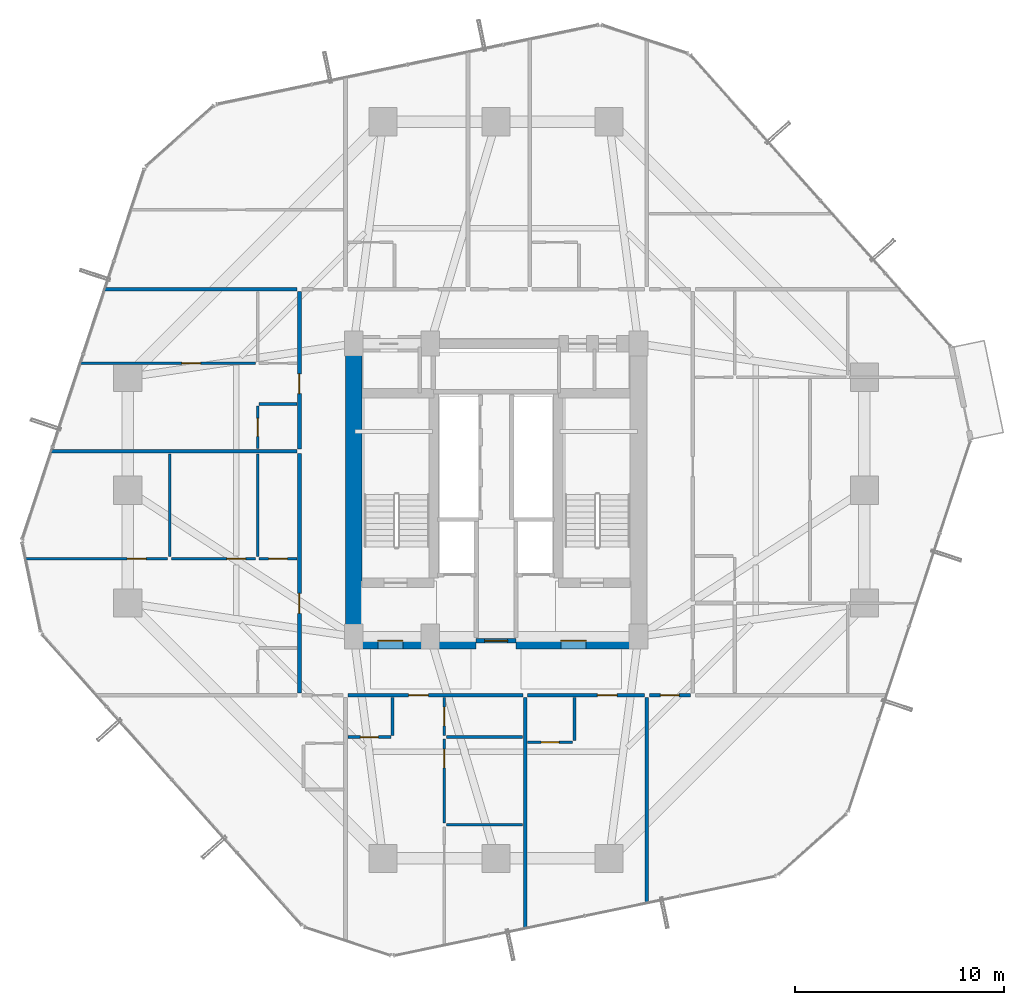
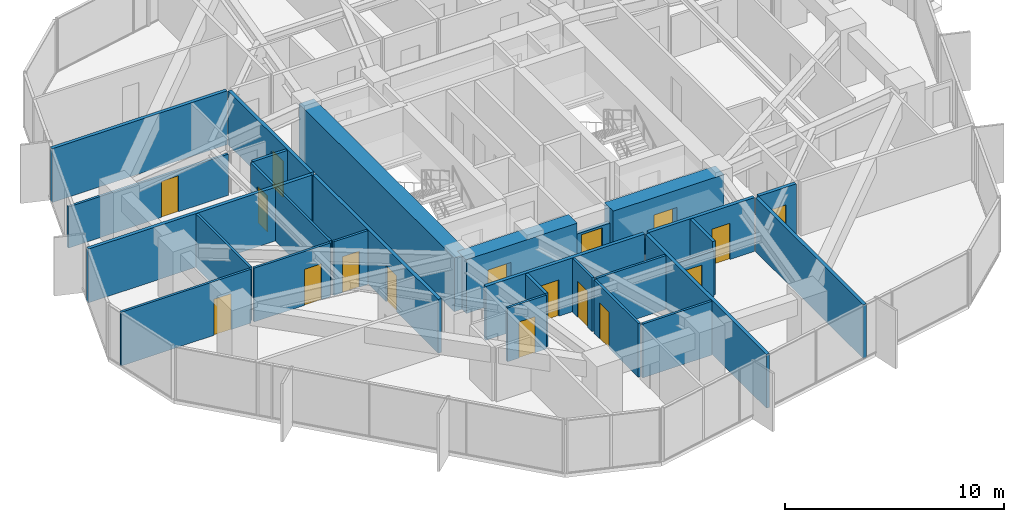
# One storey, part 33 of 38: 29 walls, 17 doors, 17 openings.
"""IFC4 building model written with IfcOpenShell, lengths in metres."""

import ifcopenshell
import ifcopenshell.guid

model = None  # the IFC model being written
_history = None  # IfcOwnerHistory: only IFC2X3 demands one
_inside = {}  # id of a spatial element -> (the spatial element, [elements in it])
_under = {}  # id of a project, library or spatial element -> (it, [spatial elements below it])
_declared = {}  # id of a project -> (the project, [libraries it declares])
_typed = {}  # id of a type object -> (the type object, [elements of that type])
_made_of = {}  # id of a material, layer set ... -> (it, [elements and type objects made of it])


def new_model(schema):
    """Start an empty IFC model of exactly this schema.

    Asked for "IFC4X3", IfcOpenShell would pick the latest addendum, in which some entities
    have other attributes; the version numbers below select the first issue.
    IFC2X3 requires an IfcOwnerHistory on every rooted entity: one is made here for all.
    """
    global model, _history
    if schema == "IFC4X3":
        model = ifcopenshell.file(schema_version=(4, 3, 0, 0))
    else:
        model = ifcopenshell.file(schema=schema)
    _inside.clear()
    _under.clear()
    _declared.clear()
    _typed.clear()
    _made_of.clear()
    _history = None
    if model.schema == "IFC2X3":
        org = make("IfcOrganization", Name="unknown")
        user = make(
            "IfcPersonAndOrganization",
            ThePerson=make("IfcPerson", FamilyName="unknown"),
            TheOrganization=org,
        )
        app = make(
            "IfcApplication",
            ApplicationDeveloper=org,
            Version="unknown",
            ApplicationFullName="unknown",
            ApplicationIdentifier="unknown",
        )
        _history = make(
            "IfcOwnerHistory",
            OwningUser=user,
            OwningApplication=app,
            ChangeAction="ADDED",
            CreationDate=0,
        )
    return model


def make(cls, **values):
    """One entity of the class cls with the attributes given. An attribute that is None is left unset."""
    return model.create_entity(
        cls, **{name: value for name, value in values.items() if value is not None}
    )


def rooted(cls, **values):
    """An entity with a GlobalId (a new one), such as an element, a storey or a relation."""
    return make(cls, GlobalId=ifcopenshell.guid.new(), OwnerHistory=_history, **values)


def si_unit(unit_type, name, prefix=None):
    """IfcSIUnit, for example si_unit("LENGTHUNIT", "METRE", prefix="MILLI")."""
    return make("IfcSIUnit", UnitType=unit_type, Prefix=prefix, Name=name)


def assignment(units):
    """IfcUnitAssignment: the units of a project."""
    return None if units is None else make("IfcUnitAssignment", Units=units)


def point(xyz):
    """IfcCartesianPoint."""
    return None if xyz is None else make("IfcCartesianPoint", Coordinates=xyz)


def direction(xyz):
    """IfcDirection."""
    return None if xyz is None else make("IfcDirection", DirectionRatios=xyz)


def frame(location, z_axis=None, x_axis=None):
    """IfcAxis2Placement3D, a coordinate frame: its origin and axes. An axis left out is left unset."""
    return make(
        "IfcAxis2Placement3D",
        Location=point(location),
        Axis=direction(z_axis),
        RefDirection=direction(x_axis),
    )


def frame_2d(location, x_axis=None):
    """IfcAxis2Placement2D, a coordinate frame in the plane: its origin and x axis."""
    return make(
        "IfcAxis2Placement2D", Location=point(location), RefDirection=direction(x_axis)
    )


def origin():
    """The frame at (0, 0, 0) with its axes left unset."""
    return frame((0.0, 0.0, 0.0))


def place(relative_to, where):
    """IfcLocalPlacement: puts the frame where relative to a parent placement (None: the world)."""
    return make(
        "IfcLocalPlacement", PlacementRelTo=relative_to, RelativePlacement=where
    )


def context(
    kind, dimensions, precision=None, world=None, true_north=None, identifier=None
):
    """IfcGeometricRepresentationContext, for example the 3D "Model" context."""
    return make(
        "IfcGeometricRepresentationContext",
        ContextIdentifier=identifier,
        ContextType=kind,
        CoordinateSpaceDimension=dimensions,
        Precision=precision,
        WorldCoordinateSystem=world,
        TrueNorth=true_north,
    )


def subcontext(parent, identifier, kind, view, scale=None):
    """IfcGeometricRepresentationSubContext, for example "Body" below "Model"."""
    return make(
        "IfcGeometricRepresentationSubContext",
        ContextIdentifier=identifier,
        ContextType=kind,
        ParentContext=parent,
        TargetScale=scale,
        TargetView=view,
    )


def project(units=None, contexts=None):
    """IfcProject with its units and contexts."""
    return rooted(
        "IfcProject",
        Name="project",
        RepresentationContexts=contexts,
        UnitsInContext=assignment(units),
    )


def spatial(cls, under=None, at=None, **own):
    """A site, building, storey or space (cls), placed at a placement, below another one or the project."""
    s = rooted(cls, ObjectPlacement=at, **own)
    if under is not None:
        _under.setdefault(under.id(), (under, []))[1].append(s)
    return s


def profile(cls, at=None, kind="AREA", **sizes):
    """A parametric profile (cls). Its sizes go by their IFC names, for example OverallWidth=200.0."""
    return make(cls, ProfileType=kind, Position=at, **sizes)


def rectangle(**sizes):
    """IfcRectangleProfileDef."""
    return profile("IfcRectangleProfileDef", **sizes)


def extrude(swept, where, along, depth):
    """IfcExtrudedAreaSolid: the profile swept, set in the frame where, extruded along a direction by depth."""
    return make(
        "IfcExtrudedAreaSolid",
        SweptArea=swept,
        Position=where,
        ExtrudedDirection=direction(along),
        Depth=depth,
    )


def shape(context_of_items, identifier, shape_type, items):
    """IfcShapeRepresentation: the items that make up one representation, for example the "Body"."""
    return make(
        "IfcShapeRepresentation",
        ContextOfItems=context_of_items,
        RepresentationIdentifier=identifier,
        RepresentationType=shape_type,
        Items=items,
    )


def source(mapping_origin, context_of_items, identifier, shape_type, items):
    """IfcRepresentationMap: a shape defined once, which mapped items show again and again."""
    return make(
        "IfcRepresentationMap",
        MappingOrigin=mapping_origin,
        MappedRepresentation=shape(context_of_items, identifier, shape_type, items),
    )


def transform(
    local_origin,
    x_axis=None,
    y_axis=None,
    z_axis=None,
    scale=None,
    scale2=None,
    scale3=None,
    uniform=True,
):
    """IfcCartesianTransformationOperator3D, or its non-uniform kind. x_axis, y_axis, z_axis: its Axis1, 2, 3."""
    if uniform:
        return make(
            "IfcCartesianTransformationOperator3D",
            Axis1=direction(x_axis),
            Axis2=direction(y_axis),
            LocalOrigin=point(local_origin),
            Scale=scale,
            Axis3=direction(z_axis),
        )
    return make(
        "IfcCartesianTransformationOperator3DnonUniform",
        Axis1=direction(x_axis),
        Axis2=direction(y_axis),
        LocalOrigin=point(local_origin),
        Scale=scale,
        Axis3=direction(z_axis),
        Scale2=scale2,
        Scale3=scale3,
    )


def mapped(mapping_source, mapping_target):
    """IfcMappedItem: shows the shape of a source again, moved by a transform."""
    return make(
        "IfcMappedItem", MappingSource=mapping_source, MappingTarget=mapping_target
    )


def material(Name=None, Category=None):
    """IfcMaterial."""
    return make("IfcMaterial", Name=Name, Category=Category)


def layer(
    of_material, thickness, ventilated=None, Name=None, Category=None, Priority=None
):
    """IfcMaterialLayer: one layer of a wall or slab, of a material (None: an air gap)."""
    return make(
        "IfcMaterialLayer",
        Material=of_material,
        LayerThickness=thickness,
        IsVentilated=ventilated,
        Name=Name,
        Category=Category,
        Priority=Priority,
    )


def layer_set(layers, Name=None):
    """IfcMaterialLayerSet."""
    return make("IfcMaterialLayerSet", MaterialLayers=layers, LayerSetName=Name)


def made_of(thing, what):
    """Note that an element or type object is made of a material, layer set ...; save() writes the relation."""
    if what is not None:
        _made_of.setdefault(what.id(), (what, []))[1].append(thing)
    return thing


def type_object(cls, material=None, **own):
    """A type object (cls), such as IfcWallType, which elements share."""
    return made_of(rooted(cls, **own), material)


def element(
    cls,
    number,
    at=None,
    inside=None,
    cuts=None,
    type_object=None,
    material=None,
    context=None,
    identifier="Body",
    shape_type=None,
    held_by="IfcProductDefinitionShape",
    body=None,
    shapes=None,
    **own,
):
    """One element of the class cls, such as IfcWall. Its Tag is "e" and its number.

    at: its placement. inside: the storey or other place that contains it. cuts: it is an
    opening in that element (IfcRelVoidsElement). A single representation is given by context,
    identifier, shape_type and body (its items); several are given by shapes. held_by: the class
    of the entity that holds the representations. save() writes the other relations.
    """
    e = rooted(cls, Tag="e%d" % number, ObjectPlacement=at, **own)
    if body is not None:
        shapes = [shape(context, identifier, shape_type, body)]
    if shapes is not None:
        e.Representation = make(held_by, Representations=shapes)
    if inside is not None:
        _inside.setdefault(inside.id(), (inside, []))[1].append(e)
    if cuts is not None:
        rooted(
            "IfcRelVoidsElement", RelatingBuildingElement=cuts, RelatedOpeningElement=e
        )
    if type_object is not None:
        _typed.setdefault(type_object.id(), (type_object, []))[1].append(e)
    return made_of(e, material)


def fill(opening, filler):
    """IfcRelFillsElement: the door or window that sits in an opening."""
    return rooted(
        "IfcRelFillsElement",
        RelatingOpeningElement=opening,
        RelatedBuildingElement=filler,
    )


def aggregate(whole, parts):
    """IfcRelAggregates: a whole, such as a stair, and the parts it consists of."""
    return rooted("IfcRelAggregates", RelatingObject=whole, RelatedObjects=parts)


def save(model, path):
    """Write the relations noted so far, then the file.

    IfcRelAggregates (storeys below a building ...), IfcRelContainedInSpatialStructure (elements
    in a storey), IfcRelDefinesByType, IfcRelAssociatesMaterial and IfcRelDeclares: one each for
    every whole, place, type object, material and project.
    """
    for whole, parts in _under.values():
        aggregate(whole, parts)
    for where, things in _inside.values():
        rooted(
            "IfcRelContainedInSpatialStructure",
            RelatedElements=things,
            RelatingStructure=where,
        )
    for kind, things in _typed.values():
        rooted("IfcRelDefinesByType", RelatedObjects=things, RelatingType=kind)
    for what, things in _made_of.values():
        rooted("IfcRelAssociatesMaterial", RelatedObjects=things, RelatingMaterial=what)
    for by, libraries in _declared.values():
        rooted("IfcRelDeclares", RelatingContext=by, RelatedDefinitions=libraries)
    model.write(path)


model = new_model("IFC4")

# Units and contexts
model_context = context("Model", 3, precision=1e-05, world=origin(), true_north=direction((0.0, 1.0)))
body_context = subcontext(model_context, "Body", "Model", "MODEL_VIEW")
ifc_project = project(units=[si_unit("LENGTHUNIT", "METRE"), si_unit("AREAUNIT", "SQUARE_METRE"), si_unit("VOLUMEUNIT", "CUBIC_METRE"), si_unit("PLANEANGLEUNIT", "RADIAN"), si_unit("MASSUNIT", "GRAM", prefix="KILO")], contexts=[model_context])

# Site, building, storey
site_placement = place(None, origin())
site = spatial("IfcSite", under=ifc_project, at=site_placement, CompositionType="ELEMENT")
building_placement = place(site_placement, origin())
building = spatial("IfcBuilding", under=site, at=building_placement, Name="Veraguas Prism Commons", CompositionType="ELEMENT")
storey_placement = place(building_placement, frame((0.0, 0.0, 64.10009765625)))
storey = spatial("IfcBuildingStorey", under=building, at=storey_placement, Name="L17", CompositionType="ELEMENT", Elevation=64.10009765625)

# Wall
ifc_material_1 = material(Name="Concrete C60/75", Category="concrete")
ifc_layer_1 = layer(ifc_material_1, 0.800048828125, Name="Core Outer Shear Wall Lower RC 800", Category="concrete")
ifc_layer_set_1 = layer_set([ifc_layer_1], Name="Concrete C60/75")
wall_type_1 = type_object("IfcWallType", Name="Core Outer Shear Wall Lower RC 800", PredefinedType="SHEAR", material=ifc_layer_set_1)
wall_1_placement = place(storey_placement, frame((17.199951171875, 16.800048828125, 0.0), z_axis=(0.0, 0.0, 1.0), x_axis=(0.0, 1.0, 0.0)))
element("IfcWall", 1, at=wall_1_placement, inside=storey, type_object=wall_type_1, Name="Central Core West Shear Wall L17", PredefinedType="SHEAR", context=body_context, shape_type="SweptSolid", body=[
    extrude(rectangle(XDim=14.199951171875, YDim=0.800048828125, at=frame_2d((7.10009765625, 0.0))), origin(), (0.0, 0.0, 1.0), 3.0),
])

# Wall, opening, door
wall_2_placement = place(storey_placement, frame((17.199951171875, 16.800048828125, 0.0), z_axis=(0.0, 0.0, 1.0), x_axis=(1.0, 0.0, 0.0)))
wall_2 = element("IfcWall", 2, at=wall_2_placement, inside=storey, type_object=wall_type_1, Name="Central Core South-West Shear Wall L17", PredefinedType="SHEAR", context=body_context, shape_type="SweptSolid", body=[
    extrude(rectangle(XDim=5.85009765625, YDim=0.800048828125, at=frame_2d((2.925048828125, 0.0))), origin(), (0.0, 0.0, 1.0), 3.0),
])
opening_1_placement = place(wall_2_placement, frame((1.14990234375, 0.0, 0.0)))
opening_1 = element("IfcOpeningElement", 3, at=opening_1_placement, cuts=wall_2, Name="Opening DR-06", PredefinedType="OPENING", context=body_context, shape_type="SweptSolid", body=[
    extrude(rectangle(XDim=1.199951171875, YDim=2.030029296875, at=frame_2d((0.60009765625, 1.01513671875))), frame((0.0, 0.409912109375, 0.0), z_axis=(0.0, -1.0, 0.0), x_axis=(1.0, 0.0, 0.0)), (0.0, 0.0, 1.0), 0.820068359375),
])
ifc_material_2 = material(Name="Steel fire-rated door assembly", Category="steel")
door_type_1 = type_object("IfcDoorType", Name="Firefighting Lobby Smoke Door 1200x2030", OperationType="NOTDEFINED", PredefinedType="DOOR", material=ifc_material_2)
shared_shape_1 = source(origin(), body_context, "Body", "SweptSolid", [
    extrude(rectangle(XDim=1.199951171875, YDim=2.030029296875, at=frame_2d((0.60009765625, 1.01513671875))), frame((0.0, 0.02490234375, 0.0), z_axis=(0.0, -1.0, 0.0), x_axis=(1.0, 0.0, 0.0)), (0.0, 0.0, 1.0), 0.050048828125),
])
door_1_placement = place(opening_1_placement, origin())
door_1 = element("IfcDoor", 4, at=door_1_placement, inside=storey, type_object=door_type_1, Name="West FF Lobby Door L17", OperationType="SINGLE_SWING_LEFT", OverallHeight=2.030029296875, OverallWidth=1.199951171875, PredefinedType="DOOR", context=body_context, shape_type="MappedRepresentation", body=[
    mapped(shared_shape_1, transform((0.0, 0.0, 0.0), scale=1.0)),
])
fill(opening_1, door_1)

wall_3_placement = place(storey_placement, frame((24.949951171875, 16.800048828125, 0.0), z_axis=(0.0, 0.0, 1.0), x_axis=(1.0, 0.0, 0.0)))
wall_3 = element("IfcWall", 5, at=wall_3_placement, inside=storey, type_object=wall_type_1, Name="Central Core South-East Shear Wall L17", PredefinedType="SHEAR", context=body_context, shape_type="SweptSolid", body=[
    extrude(rectangle(XDim=5.85009765625, YDim=0.800048828125, at=frame_2d((2.925048828125, 0.0))), origin(), (0.0, 0.0, 1.0), 3.0),
])
opening_2_placement = place(wall_3_placement, frame((2.14990234375, 0.0, 0.0)))
opening_2 = element("IfcOpeningElement", 6, at=opening_2_placement, cuts=wall_3, Name="Opening DR-06", PredefinedType="OPENING", context=body_context, shape_type="SweptSolid", body=[
    extrude(rectangle(XDim=1.199951171875, YDim=2.030029296875, at=frame_2d((0.60009765625, 1.01513671875))), frame((0.0, 0.409912109375, 0.0), z_axis=(0.0, -1.0, 0.0), x_axis=(1.0, 0.0, 0.0)), (0.0, 0.0, 1.0), 0.820068359375),
])
door_2_placement = place(opening_2_placement, origin())
door_2 = element("IfcDoor", 7, at=door_2_placement, inside=storey, type_object=door_type_1, Name="East FF Lobby Door L17", OperationType="SINGLE_SWING_LEFT", OverallHeight=2.030029296875, OverallWidth=1.199951171875, PredefinedType="DOOR", context=body_context, shape_type="MappedRepresentation", body=[
    mapped(shared_shape_1, transform((0.0, 0.0, 0.0), scale=1.0)),
])
fill(opening_2, door_2)

# Wall
ifc_material_3 = material(Name="Autoclaved aerated masonry block 10 MPa", Category="masonry")
ifc_layer_2 = layer(ifc_material_3, 0.179931640625, Name="Corridor and Inter-Tenancy Partition 180", Category="masonry")
ifc_layer_set_2 = layer_set([ifc_layer_2], Name="Autoclaved aerated masonry block 10 MPa")
wall_type_2 = type_object("IfcWallType", Name="Corridor and Inter-Tenancy Partition 180", PredefinedType="PARTITIONING", material=ifc_layer_set_2)
wall_4_placement = place(storey_placement, frame((31.199951171875, 14.080078125, 0.0), z_axis=(0.0, 0.0, 1.0), x_axis=(0.0, -1.0, 0.0)))
element("IfcWall", 8, at=wall_4_placement, inside=storey, type_object=wall_type_2, Name="WL-L17-PT002", PredefinedType="PARTITIONING", context=body_context, shape_type="SweptSolid", body=[
    extrude(rectangle(XDim=9.842041015625, YDim=0.179931640625, at=frame_2d((4.9208984375, 0.0))), origin(), (0.0, 0.0, 1.0), 3.0),
])

# Wall, opening, door
wall_5_placement = place(storey_placement, frame((16.909912109375, 14.199951171875, 0.0), z_axis=(0.0, 0.0, 1.0), x_axis=(1.0, 0.0, 0.0)))
wall_5 = element("IfcWall", 9, at=wall_5_placement, inside=storey, type_object=wall_type_2, Name="WL-L17-PT003", PredefinedType="PARTITIONING", context=body_context, shape_type="SweptSolid", body=[
    extrude(rectangle(XDim=8.3720703125, YDim=0.179931640625, at=frame_2d((4.18603515625, 0.0))), origin(), (0.0, 0.0, 1.0), 3.0),
])
opening_3_placement = place(wall_5_placement, frame((2.903076171875, 0.0, 0.0)))
opening_3 = element("IfcOpeningElement", 10, at=opening_3_placement, cuts=wall_5, Name="Opening DR-01", PredefinedType="OPENING", context=body_context, shape_type="SweptSolid", body=[
    extrude(rectangle(XDim=0.949951171875, YDim=2.02001953125, at=frame_2d((0.47509765625, 1.010009765625))), frame((0.0, 0.099853515625, 0.0), z_axis=(0.0, -1.0, 0.0), x_axis=(1.0, 0.0, 0.0)), (0.0, 0.0, 1.0), 0.199951171875),
])
ifc_material_4 = material(Name="Anodised aluminium EN AW-6063 T6", Category="aluminium")
door_type_2 = type_object("IfcDoorType", Name="Apartment Entrance Fire Door 950x2020", OperationType="NOTDEFINED", PredefinedType="DOOR", material=ifc_material_4)
shared_shape_2 = source(origin(), body_context, "Body", "SweptSolid", [
    extrude(rectangle(XDim=0.949951171875, YDim=2.02001953125, at=frame_2d((0.47509765625, 1.010009765625))), frame((0.0, 0.02490234375, 0.0), z_axis=(0.0, -1.0, 0.0), x_axis=(1.0, 0.0, 0.0)), (0.0, 0.0, 1.0), 0.050048828125),
])
door_3_placement = place(opening_3_placement, origin())
door_3 = element("IfcDoor", 11, at=door_3_placement, inside=storey, type_object=door_type_2, Name="Flat 17A Entrance Door", OperationType="SINGLE_SWING_LEFT", OverallHeight=2.02001953125, OverallWidth=0.949951171875, PredefinedType="DOOR", context=body_context, shape_type="MappedRepresentation", body=[
    mapped(shared_shape_2, transform((0.0, 0.0, 0.0), scale=1.0)),
])
fill(opening_3, door_3)

# Wall
wall_6_placement = place(storey_placement, frame((25.39208984375, 14.080078125, 0.0), z_axis=(0.0, 0.0, 1.0), x_axis=(0.0, -1.0, 0.0)))
element("IfcWall", 12, at=wall_6_placement, inside=storey, type_object=wall_type_2, Name="WL-L17-PT011", PredefinedType="PARTITIONING", context=body_context, shape_type="SweptSolid", body=[
    extrude(rectangle(XDim=11.05126953125, YDim=0.179931640625, at=frame_2d((5.525634765625, 0.0))), origin(), (0.0, 0.0, 1.0), 3.0),
])

# Wall, opening, door
wall_7_placement = place(storey_placement, frame((25.501953125, 14.199951171875, 0.0), z_axis=(0.0, 0.0, 1.0), x_axis=(1.0, 0.0, 0.0)))
wall_7 = element("IfcWall", 13, at=wall_7_placement, inside=storey, type_object=wall_type_2, Name="WL-L17-PT012", PredefinedType="PARTITIONING", context=body_context, shape_type="SweptSolid", body=[
    extrude(rectangle(XDim=5.588134765625, YDim=0.179931640625, at=frame_2d((2.7939453125, 0.0))), origin(), (0.0, 0.0, 1.0), 3.0),
])
opening_4_placement = place(wall_7_placement, frame((3.336181640625, 0.0, 0.0)))
opening_4 = element("IfcOpeningElement", 14, at=opening_4_placement, cuts=wall_7, Name="Opening DR-01", PredefinedType="OPENING", context=body_context, shape_type="SweptSolid", body=[
    extrude(rectangle(XDim=0.949951171875, YDim=2.02001953125, at=frame_2d((0.47509765625, 1.010009765625))), frame((0.0, 0.099853515625, 0.0), z_axis=(0.0, -1.0, 0.0), x_axis=(1.0, 0.0, 0.0)), (0.0, 0.0, 1.0), 0.199951171875),
])
door_4_placement = place(opening_4_placement, origin())
door_4 = element("IfcDoor", 15, at=door_4_placement, inside=storey, type_object=door_type_2, Name="Studio 17B Entrance Door", OperationType="SINGLE_SWING_RIGHT", OverallHeight=2.02001953125, OverallWidth=0.949951171875, PredefinedType="DOOR", context=body_context, shape_type="MappedRepresentation", body=[
    mapped(shared_shape_2, transform((0.0, 0.0, 0.0), scale=1.0)),
])
fill(opening_4, door_4)

# Wall
wall_8_placement = place(storey_placement, frame((14.47998046875, 33.60009765625, 0.0), z_axis=(0.0, 0.0, 1.0), x_axis=(-1.0, 0.0, 0.0)))
element("IfcWall", 16, at=wall_8_placement, inside=storey, type_object=wall_type_2, Name="WL-L17-PT027", PredefinedType="PARTITIONING", context=body_context, shape_type="SweptSolid", body=[
    extrude(rectangle(XDim=9.232177734375, YDim=0.179931640625, at=frame_2d((4.6162109375, 0.0))), origin(), (0.0, 0.0, 1.0), 3.0),
])

# Wall, opening, door
wall_9_placement = place(storey_placement, frame((14.60009765625, 14.31005859375, 0.0), z_axis=(0.0, 0.0, 1.0), x_axis=(0.0, 1.0, 0.0)))
wall_9 = element("IfcWall", 17, at=wall_9_placement, inside=storey, type_object=wall_type_2, Name="WL-L17-PT028", PredefinedType="PARTITIONING", context=body_context, shape_type="SweptSolid", body=[
    extrude(rectangle(XDim=11.43798828125, YDim=0.179931640625, at=frame_2d((5.718994140625, 0.0))), origin(), (0.0, 0.0, 1.0), 3.0),
])
opening_5_placement = place(wall_9_placement, frame((3.803955078125, 0.0, 0.0)))
opening_5 = element("IfcOpeningElement", 18, at=opening_5_placement, cuts=wall_9, Name="Opening DR-01", PredefinedType="OPENING", context=body_context, shape_type="SweptSolid", body=[
    extrude(rectangle(XDim=0.949951171875, YDim=2.02001953125, at=frame_2d((0.47509765625, 1.010009765625))), frame((0.0, 0.099853515625, 0.0), z_axis=(0.0, -1.0, 0.0), x_axis=(1.0, 0.0, 0.0)), (0.0, 0.0, 1.0), 0.199951171875),
])
door_5_placement = place(opening_5_placement, origin())
door_5 = element("IfcDoor", 19, at=door_5_placement, inside=storey, type_object=door_type_2, Name="Flat 17E Entrance Door", OperationType="SINGLE_SWING_LEFT", OverallHeight=2.02001953125, OverallWidth=0.949951171875, PredefinedType="DOOR", context=body_context, shape_type="MappedRepresentation", body=[
    mapped(shared_shape_2, transform((0.0, 0.0, 0.0), scale=1.0)),
])
fill(opening_5, door_5)

# Wall
wall_10_placement = place(storey_placement, frame((14.47998046875, 25.85791015625, 0.0), z_axis=(0.0, 0.0, 1.0), x_axis=(-1.0, 0.0, 0.0)))
element("IfcWall", 20, at=wall_10_placement, inside=storey, type_object=wall_type_2, Name="WL-L17-PT036", PredefinedType="PARTITIONING", context=body_context, shape_type="SweptSolid", body=[
    extrude(rectangle(XDim=11.783447265625, YDim=0.179931640625, at=frame_2d((5.8916015625, 0.0))), origin(), (0.0, 0.0, 1.0), 3.0),
])

# Wall, opening, door
wall_11_placement = place(storey_placement, frame((14.60009765625, 25.968017578125, 0.0), z_axis=(0.0, 0.0, 1.0), x_axis=(0.0, 1.0, 0.0)))
wall_11 = element("IfcWall", 21, at=wall_11_placement, inside=storey, type_object=wall_type_2, Name="WL-L17-PT037", PredefinedType="PARTITIONING", context=body_context, shape_type="SweptSolid", body=[
    extrude(rectangle(XDim=7.52197265625, YDim=0.179931640625, at=frame_2d((3.760986328125, 0.0))), origin(), (0.0, 0.0, 1.0), 3.0),
])
opening_6_placement = place(wall_11_placement, frame((2.639892578125, 0.0, 0.0)))
opening_6 = element("IfcOpeningElement", 22, at=opening_6_placement, cuts=wall_11, Name="Opening DR-01", PredefinedType="OPENING", context=body_context, shape_type="SweptSolid", body=[
    extrude(rectangle(XDim=0.949951171875, YDim=2.02001953125, at=frame_2d((0.47509765625, 1.010009765625))), frame((0.0, 0.099853515625, 0.0), z_axis=(0.0, -1.0, 0.0), x_axis=(1.0, 0.0, 0.0)), (0.0, 0.0, 1.0), 0.199951171875),
])
door_6_placement = place(opening_6_placement, origin())
door_6 = element("IfcDoor", 23, at=door_6_placement, inside=storey, type_object=door_type_2, Name="Flat 17F Entrance Door", OperationType="SINGLE_SWING_RIGHT", OverallHeight=2.02001953125, OverallWidth=0.949951171875, PredefinedType="DOOR", context=body_context, shape_type="MappedRepresentation", body=[
    mapped(shared_shape_2, transform((0.0, 0.0, 0.0), scale=1.0)),
])
fill(opening_6, door_6)

wall_12_placement = place(storey_placement, frame((31.320068359375, 14.199951171875, 0.0), z_axis=(0.0, 0.0, 1.0), x_axis=(1.0, 0.0, 0.0)))
wall_12 = element("IfcWall", 24, at=wall_12_placement, inside=storey, type_object=wall_type_2, Name="WL-L17-PT064", PredefinedType="PARTITIONING", context=body_context, shape_type="SweptSolid", body=[
    extrude(rectangle(XDim=1.9599609375, YDim=0.179931640625, at=frame_2d((0.97998046875, 0.0))), origin(), (0.0, 0.0, 1.0), 3.0),
])
opening_7_placement = place(wall_12_placement, frame((0.530029296875, 0.0, 0.0)))
opening_7 = element("IfcOpeningElement", 25, at=opening_7_placement, cuts=wall_12, Name="Opening DR-14", PredefinedType="OPENING", context=body_context, shape_type="SweptSolid", body=[
    extrude(rectangle(XDim=0.89990234375, YDim=2.010009765625, at=frame_2d((0.449951171875, 1.0048828125))), frame((0.0, 0.099853515625, 0.0), z_axis=(0.0, -1.0, 0.0), x_axis=(1.0, 0.0, 0.0)), (0.0, 0.0, 1.0), 0.199951171875),
])
door_type_3 = type_object("IfcDoorType", Name="Core Service Room Fire Door 900x2010", OperationType="NOTDEFINED", PredefinedType="DOOR", material=ifc_material_2)
shared_shape_3 = source(origin(), body_context, "Body", "SweptSolid", [
    extrude(rectangle(XDim=0.89990234375, YDim=2.010009765625, at=frame_2d((0.449951171875, 1.0048828125))), frame((0.0, 0.02490234375, 0.0), z_axis=(0.0, -1.0, 0.0), x_axis=(1.0, 0.0, 0.0)), (0.0, 0.0, 1.0), 0.050048828125),
])
door_7_placement = place(opening_7_placement, origin())
door_7 = element("IfcDoor", 26, at=door_7_placement, inside=storey, type_object=door_type_3, Name="Residents Corner Study Room SE Door", OperationType="SINGLE_SWING_LEFT", OverallHeight=2.010009765625, OverallWidth=0.89990234375, PredefinedType="DOOR", context=body_context, shape_type="MappedRepresentation", body=[
    mapped(shared_shape_3, transform((0.0, 0.0, 0.0), scale=1.0)),
])
fill(opening_7, door_7)

ifc_material_5 = material(Name="Lightweight acoustic gypsum board")
ifc_layer_3 = layer(ifc_material_5, 0.125, Name="Internal Apartment Room Partition 125")
ifc_layer_set_3 = layer_set([ifc_layer_3], Name="Lightweight acoustic gypsum board")
wall_type_3 = type_object("IfcWallType", Name="Internal Apartment Room Partition 125", PredefinedType="PARTITIONING", material=ifc_layer_set_3)
wall_13_placement = place(storey_placement, frame((16.919921875, 12.199951171875, 0.0), z_axis=(0.0, 0.0, 1.0), x_axis=(1.0, 0.0, 0.0)))
wall_13 = element("IfcWall", 27, at=wall_13_placement, inside=storey, type_object=wall_type_3, Name="WL-L17-PT005", PredefinedType="PARTITIONING", context=body_context, shape_type="SweptSolid", body=[
    extrude(rectangle(XDim=2.050048828125, YDim=0.125, at=frame_2d((1.02490234375, 0.0))), origin(), (0.0, 0.0, 1.0), 3.0),
])
opening_8_placement = place(wall_13_placement, frame((0.594970703125, 0.0, 0.0)))
opening_8 = element("IfcOpeningElement", 28, at=opening_8_placement, cuts=wall_13, Name="Opening DR-03", PredefinedType="OPENING", context=body_context, shape_type="SweptSolid", body=[
    extrude(rectangle(XDim=0.860107421875, YDim=2.010009765625, at=frame_2d((0.43017578125, 1.0048828125))), frame((0.0, 0.072509765625, 0.0), z_axis=(0.0, -1.0, 0.0), x_axis=(1.0, 0.0, 0.0)), (0.0, 0.0, 1.0), 0.14501953125),
])
ifc_material_6 = material(Name="Timber moisture-resistant leaf", Category="wood")
door_type_4 = type_object("IfcDoorType", Name="Internal Bathroom Door 860x2010", OperationType="NOTDEFINED", PredefinedType="DOOR", material=ifc_material_6)
shared_shape_4 = source(origin(), body_context, "Body", "SweptSolid", [
    extrude(rectangle(XDim=0.860107421875, YDim=2.010009765625, at=frame_2d((0.43017578125, 1.0048828125))), frame((0.0, 0.02490234375, 0.0), z_axis=(0.0, -1.0, 0.0), x_axis=(1.0, 0.0, 0.0)), (0.0, 0.0, 1.0), 0.050048828125),
])
door_8_placement = place(opening_8_placement, origin())
door_8 = element("IfcDoor", 29, at=door_8_placement, inside=storey, type_object=door_type_4, Name="Flat 17A Bathroom Door", OperationType="SINGLE_SWING_RIGHT", OverallHeight=2.010009765625, OverallWidth=0.860107421875, PredefinedType="DOOR", context=body_context, shape_type="MappedRepresentation", body=[
    mapped(shared_shape_4, transform((0.0, 0.0, 0.0), scale=1.0)),
])
fill(opening_8, door_8)

wall_14_placement = place(storey_placement, frame((21.52587890625, 14.080078125, 0.0), z_axis=(0.0, 0.0, 1.0), x_axis=(0.0, -1.0, 0.0)))
wall_14 = element("IfcWall", 30, at=wall_14_placement, inside=storey, type_object=wall_type_3, Name="WL-L17-PT006", PredefinedType="PARTITIONING", context=body_context, shape_type="SweptSolid", body=[
    extrude(rectangle(XDim=1.800048828125, YDim=0.125, at=frame_2d((0.89990234375, 0.0))), origin(), (0.0, 0.0, 1.0), 3.0),
])
opening_9_placement = place(wall_14_placement, frame((0.449951171875, 0.0, 0.0)))
opening_9 = element("IfcOpeningElement", 31, at=opening_9_placement, cuts=wall_14, Name="Opening DR-02", PredefinedType="OPENING", context=body_context, shape_type="SweptSolid", body=[
    extrude(rectangle(XDim=0.89990234375, YDim=2.010009765625, at=frame_2d((0.449951171875, 1.0048828125))), frame((0.0, 0.072509765625, 0.0), z_axis=(0.0, -1.0, 0.0), x_axis=(1.0, 0.0, 0.0)), (0.0, 0.0, 1.0), 0.14501953125),
])
ifc_material_7 = material(Name="Timber solid core hardwood", Category="wood")
door_type_5 = type_object("IfcDoorType", Name="Internal Habitable Room Door 900x2010", OperationType="NOTDEFINED", PredefinedType="DOOR", material=ifc_material_7)
door_9_placement = place(opening_9_placement, origin())
door_9 = element("IfcDoor", 32, at=door_9_placement, inside=storey, type_object=door_type_5, Name="Flat 17A Kitchen Door", OperationType="SINGLE_SWING_LEFT", OverallHeight=2.010009765625, OverallWidth=0.89990234375, PredefinedType="DOOR", context=body_context, shape_type="MappedRepresentation", body=[
    mapped(shared_shape_3, transform((0.0, 0.0, 0.0), scale=1.0)),
])
fill(opening_9, door_9)

# Walls
for number, where, z_axis, x_axis, name in (
    (33, (21.6259765625, 12.199951171875, 0.0), (0.0, 0.0, 1.0), (1.0, 0.0, 0.0), "WL-L17-PT007"),
    (34, (21.6259765625, 8.0, 0.0), (0.0, 0.0, 1.0), (1.0, 0.0, 0.0), "WL-L17-PT008"),
):
    element("IfcWall", number, at=place(storey_placement, frame(where, z_axis=z_axis, x_axis=x_axis)), inside=storey, type_object=wall_type_3, Name=name, PredefinedType="PARTITIONING", context=body_context, shape_type="SweptSolid", body=[
        extrude(rectangle(XDim=3.64599609375, YDim=0.125, at=frame_2d((1.822998046875, 0.0))), origin(), (0.0, 0.0, 1.0), 3.0),
    ])

# Wall, opening, door
wall_15_placement = place(storey_placement, frame((21.52587890625, 12.10009765625, 0.0), z_axis=(0.0, 0.0, 1.0), x_axis=(0.0, -1.0, 0.0)))
wall_15 = element("IfcWall", 35, at=wall_15_placement, inside=storey, type_object=wall_type_3, Name="WL-L17-PT009", PredefinedType="PARTITIONING", context=body_context, shape_type="SweptSolid", body=[
    extrude(rectangle(XDim=4.02001953125, YDim=0.125, at=frame_2d((2.010009765625, 0.0))), origin(), (0.0, 0.0, 1.0), 3.0),
])
opening_10_placement = place(wall_15_placement, frame((0.471923828125, 0.0, 0.0)))
opening_10 = element("IfcOpeningElement", 36, at=opening_10_placement, cuts=wall_15, Name="Opening DR-02", PredefinedType="OPENING", context=body_context, shape_type="SweptSolid", body=[
    extrude(rectangle(XDim=0.89990234375, YDim=2.010009765625, at=frame_2d((0.449951171875, 1.0048828125))), frame((0.0, 0.072509765625, 0.0), z_axis=(0.0, -1.0, 0.0), x_axis=(1.0, 0.0, 0.0)), (0.0, 0.0, 1.0), 0.14501953125),
])
door_10_placement = place(opening_10_placement, origin())
door_10 = element("IfcDoor", 37, at=door_10_placement, inside=storey, type_object=door_type_5, Name="Flat 17A Bedroom 1 Door", OperationType="SINGLE_SWING_RIGHT", OverallHeight=2.010009765625, OverallWidth=0.89990234375, PredefinedType="DOOR", context=body_context, shape_type="MappedRepresentation", body=[
    mapped(shared_shape_3, transform((0.0, 0.0, 0.0), scale=1.0)),
])
fill(opening_10, door_10)

wall_16_placement = place(storey_placement, frame((25.511962890625, 11.949951171875, 0.0), z_axis=(0.0, 0.0, 1.0), x_axis=(1.0, 0.0, 0.0)))
wall_16 = element("IfcWall", 38, at=wall_16_placement, inside=storey, type_object=wall_type_3, Name="WL-L17-PT014", PredefinedType="PARTITIONING", context=body_context, shape_type="SweptSolid", body=[
    extrude(rectangle(XDim=2.150146484375, YDim=0.125, at=frame_2d((1.0751953125, 0.0))), origin(), (0.0, 0.0, 1.0), 2.579833984375),
])
opening_11_placement = place(wall_16_placement, frame((0.64501953125, 0.0, 0.0)))
opening_11 = element("IfcOpeningElement", 39, at=opening_11_placement, cuts=wall_16, Name="Opening DR-03", PredefinedType="OPENING", context=body_context, shape_type="SweptSolid", body=[
    extrude(rectangle(XDim=0.860107421875, YDim=2.010009765625, at=frame_2d((0.43017578125, 1.0048828125))), frame((0.0, 0.072509765625, 0.0), z_axis=(0.0, -1.0, 0.0), x_axis=(1.0, 0.0, 0.0)), (0.0, 0.0, 1.0), 0.14501953125),
])
door_11_placement = place(opening_11_placement, origin())
door_11 = element("IfcDoor", 40, at=door_11_placement, inside=storey, type_object=door_type_4, Name="Studio 17B Bathroom Door", OperationType="SINGLE_SWING_LEFT", OverallHeight=2.010009765625, OverallWidth=0.860107421875, PredefinedType="DOOR", context=body_context, shape_type="MappedRepresentation", body=[
    mapped(shared_shape_4, transform((0.0, 0.0, 0.0), scale=1.0)),
])
fill(opening_11, door_11)

wall_17_placement = place(storey_placement, frame((14.47998046875, 20.72802734375, 0.0), z_axis=(0.0, 0.0, 1.0), x_axis=(-1.0, 0.0, 0.0)))
wall_17 = element("IfcWall", 41, at=wall_17_placement, inside=storey, type_object=wall_type_3, Name="WL-L17-PT031", PredefinedType="PARTITIONING", context=body_context, shape_type="SweptSolid", body=[
    extrude(rectangle(XDim=1.800048828125, YDim=0.125, at=frame_2d((0.89990234375, 0.0))), origin(), (0.0, 0.0, 1.0), 3.0),
])
opening_12_placement = place(wall_17_placement, frame((0.449951171875, 0.0, 0.0)))
opening_12 = element("IfcOpeningElement", 42, at=opening_12_placement, cuts=wall_17, Name="Opening DR-02", PredefinedType="OPENING", context=body_context, shape_type="SweptSolid", body=[
    extrude(rectangle(XDim=0.89990234375, YDim=2.010009765625, at=frame_2d((0.449951171875, 1.0048828125))), frame((0.0, 0.072509765625, 0.0), z_axis=(0.0, -1.0, 0.0), x_axis=(1.0, 0.0, 0.0)), (0.0, 0.0, 1.0), 0.14501953125),
])
door_12_placement = place(opening_12_placement, origin())
door_12 = element("IfcDoor", 43, at=door_12_placement, inside=storey, type_object=door_type_5, Name="Flat 17E Kitchen Door", OperationType="SINGLE_SWING_LEFT", OverallHeight=2.010009765625, OverallWidth=0.89990234375, PredefinedType="DOOR", context=body_context, shape_type="MappedRepresentation", body=[
    mapped(shared_shape_3, transform((0.0, 0.0, 0.0), scale=1.0)),
])
fill(opening_12, door_12)

# Walls
for number, where, z_axis, x_axis, name in (
    (44, (12.60009765625, 20.827880859375, 0.0), (0.0, 0.0, 1.0), (0.0, 1.0, 0.0), "WL-L17-PT032"),
    (45, (8.39990234375, 20.827880859375, 0.0), (0.0, 0.0, 1.0), (0.0, 1.0, 0.0), "WL-L17-PT033"),
):
    element("IfcWall", number, at=place(storey_placement, frame(where, z_axis=z_axis, x_axis=x_axis)), inside=storey, type_object=wall_type_3, Name=name, PredefinedType="PARTITIONING", context=body_context, shape_type="SweptSolid", body=[
        extrude(rectangle(XDim=4.91015625, YDim=0.125, at=frame_2d((2.455078125, 0.0))), origin(), (0.0, 0.0, 1.0), 3.0),
    ])

# Wall, opening, door
wall_18_placement = place(storey_placement, frame((12.5, 20.72802734375, 0.0), z_axis=(0.0, 0.0, 1.0), x_axis=(-1.0, 0.0, 0.0)))
wall_18 = element("IfcWall", 46, at=wall_18_placement, inside=storey, type_object=wall_type_3, Name="WL-L17-PT034", PredefinedType="PARTITIONING", context=body_context, shape_type="SweptSolid", body=[
    extrude(rectangle(XDim=4.02001953125, YDim=0.125, at=frame_2d((2.010009765625, 0.0))), origin(), (0.0, 0.0, 1.0), 3.0),
])
opening_13_placement = place(wall_18_placement, frame((0.471923828125, 0.0, 0.0)))
opening_13 = element("IfcOpeningElement", 47, at=opening_13_placement, cuts=wall_18, Name="Opening DR-02", PredefinedType="OPENING", context=body_context, shape_type="SweptSolid", body=[
    extrude(rectangle(XDim=0.89990234375, YDim=2.010009765625, at=frame_2d((0.449951171875, 1.0048828125))), frame((0.0, 0.072509765625, 0.0), z_axis=(0.0, -1.0, 0.0), x_axis=(1.0, 0.0, 0.0)), (0.0, 0.0, 1.0), 0.14501953125),
])
door_13_placement = place(opening_13_placement, origin())
door_13 = element("IfcDoor", 48, at=door_13_placement, inside=storey, type_object=door_type_5, Name="Flat 17E Bedroom 1 Door", OperationType="SINGLE_SWING_RIGHT", OverallHeight=2.010009765625, OverallWidth=0.89990234375, PredefinedType="DOOR", context=body_context, shape_type="MappedRepresentation", body=[
    mapped(shared_shape_3, transform((0.0, 0.0, 0.0), scale=1.0)),
])
fill(opening_13, door_13)

wall_19_placement = place(storey_placement, frame((8.300048828125, 20.72802734375, 0.0), z_axis=(0.0, 0.0, 1.0), x_axis=(-1.0, 0.0, 0.0)))
wall_19 = element("IfcWall", 49, at=wall_19_placement, inside=storey, type_object=wall_type_3, Name="WL-L17-PT035", PredefinedType="PARTITIONING", context=body_context, shape_type="SweptSolid", body=[
    extrude(rectangle(XDim=6.837158203125, YDim=0.125, at=frame_2d((3.41845703125, 0.0))), origin(), (0.0, 0.0, 1.0), 3.0),
])
opening_14_placement = place(wall_19_placement, frame((1.030517578125, 0.0, 0.0)))
opening_14 = element("IfcOpeningElement", 50, at=opening_14_placement, cuts=wall_19, Name="Opening DR-02", PredefinedType="OPENING", context=body_context, shape_type="SweptSolid", body=[
    extrude(rectangle(XDim=0.89990234375, YDim=2.010009765625, at=frame_2d((0.449951171875, 1.0048828125))), frame((0.0, 0.072509765625, 0.0), z_axis=(0.0, -1.0, 0.0), x_axis=(1.0, 0.0, 0.0)), (0.0, 0.0, 1.0), 0.14501953125),
])
door_14_placement = place(opening_14_placement, origin())
door_14 = element("IfcDoor", 51, at=door_14_placement, inside=storey, type_object=door_type_5, Name="Flat 17E Bedroom 2 Door", OperationType="SINGLE_SWING_LEFT", OverallHeight=2.010009765625, OverallWidth=0.89990234375, PredefinedType="DOOR", context=body_context, shape_type="MappedRepresentation", body=[
    mapped(shared_shape_3, transform((0.0, 0.0, 0.0), scale=1.0)),
])
fill(opening_14, door_14)

wall_20_placement = place(storey_placement, frame((12.60009765625, 25.97802734375, 0.0), z_axis=(0.0, 0.0, 1.0), x_axis=(0.0, 1.0, 0.0)))
wall_20 = element("IfcWall", 52, at=wall_20_placement, inside=storey, type_object=wall_type_3, Name="WL-L17-PT039", PredefinedType="PARTITIONING", context=body_context, shape_type="SweptSolid", body=[
    extrude(rectangle(XDim=2.050048828125, YDim=0.125, at=frame_2d((1.02490234375, 0.0))), origin(), (0.0, 0.0, 1.0), 3.0),
])
opening_15_placement = place(wall_20_placement, frame((0.594970703125, 0.0, 0.0)))
opening_15 = element("IfcOpeningElement", 53, at=opening_15_placement, cuts=wall_20, Name="Opening DR-03", PredefinedType="OPENING", context=body_context, shape_type="SweptSolid", body=[
    extrude(rectangle(XDim=0.860107421875, YDim=2.010009765625, at=frame_2d((0.43017578125, 1.0048828125))), frame((0.0, 0.072509765625, 0.0), z_axis=(0.0, -1.0, 0.0), x_axis=(1.0, 0.0, 0.0)), (0.0, 0.0, 1.0), 0.14501953125),
])
door_15_placement = place(opening_15_placement, origin())
door_15 = element("IfcDoor", 54, at=door_15_placement, inside=storey, type_object=door_type_4, Name="Flat 17F Bathroom Door", OperationType="SINGLE_SWING_LEFT", OverallHeight=2.010009765625, OverallWidth=0.860107421875, PredefinedType="DOOR", context=body_context, shape_type="MappedRepresentation", body=[
    mapped(shared_shape_4, transform((0.0, 0.0, 0.0), scale=1.0)),
])
fill(opening_15, door_15)

wall_21_placement = place(storey_placement, frame((12.5, 30.05810546875, 0.0), z_axis=(0.0, 0.0, 1.0), x_axis=(-1.0, 0.0, 0.0)))
wall_21 = element("IfcWall", 55, at=wall_21_placement, inside=storey, type_object=wall_type_3, Name="WL-L17-PT042", PredefinedType="PARTITIONING", context=body_context, shape_type="SweptSolid", body=[
    extrude(rectangle(XDim=8.419189453125, YDim=0.125, at=frame_2d((4.20947265625, 0.0))), origin(), (0.0, 0.0, 1.0), 2.298828125),
])
opening_16_placement = place(wall_21_placement, frame((2.62060546875, 0.0, 0.0)))
opening_16 = element("IfcOpeningElement", 56, at=opening_16_placement, cuts=wall_21, Name="Opening DR-02", PredefinedType="OPENING", context=body_context, shape_type="SweptSolid", body=[
    extrude(rectangle(XDim=0.89990234375, YDim=2.010009765625, at=frame_2d((0.449951171875, 1.0048828125))), frame((0.0, 0.072509765625, 0.0), z_axis=(0.0, -1.0, 0.0), x_axis=(1.0, 0.0, 0.0)), (0.0, 0.0, 1.0), 0.14501953125),
])
door_16_placement = place(opening_16_placement, origin())
door_16 = element("IfcDoor", 57, at=door_16_placement, inside=storey, type_object=door_type_5, Name="Flat 17F Bedroom 1 Door", OperationType="SINGLE_SWING_LEFT", OverallHeight=2.010009765625, OverallWidth=0.89990234375, PredefinedType="DOOR", context=body_context, shape_type="MappedRepresentation", body=[
    mapped(shared_shape_3, transform((0.0, 0.0, 0.0), scale=1.0)),
])
fill(opening_16, door_16)

ifc_layer_4 = layer(ifc_material_3, 0.199951171875, Name="Rated Shaft and Lobby Block Wall 200", Category="masonry")
ifc_layer_set_4 = layer_set([ifc_layer_4], Name="Autoclaved aerated masonry block 10 MPa")
wall_type_4 = type_object("IfcWallType", Name="Rated Shaft and Lobby Block Wall 200", PredefinedType="SOLIDWALL", material=ifc_layer_set_4)
wall_22_placement = place(storey_placement, frame((23.050048828125, 16.800048828125, 0.0), z_axis=(0.0, 0.0, 1.0), x_axis=(1.0, 0.0, 0.0)))
wall_22 = element("IfcWall", 58, at=wall_22_placement, inside=storey, type_object=wall_type_4, Name="Central Core Lobby Entrance Wall L17", PredefinedType="SOLIDWALL", context=body_context, shape_type="SweptSolid", body=[
    extrude(rectangle(XDim=1.89990234375, YDim=0.199951171875, at=frame_2d((0.949951171875, 0.0))), origin(), (0.0, 0.0, 1.0), 2.14990234375),
])
opening_17_placement = place(wall_22_placement, frame((0.39990234375, 0.0, 0.0)))
opening_17 = element("IfcOpeningElement", 59, at=opening_17_placement, cuts=wall_22, Name="Opening DR-05", PredefinedType="OPENING", context=body_context, shape_type="SweptSolid", body=[
    extrude(rectangle(XDim=1.10009765625, YDim=2.030029296875, at=frame_2d((0.550048828125, 1.01513671875))), frame((0.0, 0.10986328125, 0.0), z_axis=(0.0, -1.0, 0.0), x_axis=(1.0, 0.0, 0.0)), (0.0, 0.0, 1.0), 0.219970703125),
])
door_type_6 = type_object("IfcDoorType", Name="Protected Stair and Refuge Fire Door 1100x2030", OperationType="NOTDEFINED", PredefinedType="DOOR", material=ifc_material_2)
shared_shape_5 = source(origin(), body_context, "Body", "SweptSolid", [
    extrude(rectangle(XDim=1.10009765625, YDim=2.030029296875, at=frame_2d((0.550048828125, 1.01513671875))), frame((0.0, 0.02490234375, 0.0), z_axis=(0.0, -1.0, 0.0), x_axis=(1.0, 0.0, 0.0)), (0.0, 0.0, 1.0), 0.050048828125),
])
door_17_placement = place(opening_17_placement, origin())
door_17 = element("IfcDoor", 60, at=door_17_placement, inside=storey, type_object=door_type_6, Name="Central Lobby Door L17", OperationType="SINGLE_SWING_RIGHT", OverallHeight=2.030029296875, OverallWidth=1.10009765625, PredefinedType="DOOR", context=body_context, shape_type="MappedRepresentation", body=[
    mapped(shared_shape_5, transform((0.0, 0.0, 0.0), scale=1.0)),
])
fill(opening_17, door_17)

# Walls
ifc_layer_5 = layer(ifc_material_5, 0.14990234375, Name="Wet Room and Clinic Acoustic Partition 150")
ifc_layer_set_5 = layer_set([ifc_layer_5], Name="Lightweight acoustic gypsum board")
wall_type_5 = type_object("IfcWallType", Name="Wet Room and Clinic Acoustic Partition 150", PredefinedType="PARTITIONING", material=ifc_layer_set_5)
wall_23_placement = place(storey_placement, frame((19.050048828125, 14.080078125, 0.0), z_axis=(0.0, 0.0, 1.0), x_axis=(0.0, -1.0, 0.0)))
element("IfcWall", 61, at=wall_23_placement, inside=storey, type_object=wall_type_5, Name="WL-L17-PT004", PredefinedType="PARTITIONING", context=body_context, shape_type="SweptSolid", body=[
    extrude(rectangle(XDim=1.800048828125, YDim=0.14990234375, at=frame_2d((0.89990234375, 0.0))), origin(), (0.0, 0.0, 1.0), 3.0),
])
wall_24_placement = place(storey_placement, frame((27.741943359375, 14.080078125, 0.0), z_axis=(0.0, 0.0, 1.0), x_axis=(0.0, -1.0, 0.0)))
element("IfcWall", 62, at=wall_24_placement, inside=storey, type_object=wall_type_5, Name="WL-L17-PT013", PredefinedType="PARTITIONING", context=body_context, shape_type="SweptSolid", body=[
    extrude(rectangle(XDim=2.050048828125, YDim=0.14990234375, at=frame_2d((1.02490234375, 0.0))), origin(), (0.0, 0.0, 1.0), 3.0),
])
wall_25_placement = place(storey_placement, frame((14.47998046875, 28.10791015625, 0.0), z_axis=(0.0, 0.0, 1.0), x_axis=(-1.0, 0.0, 0.0)))
element("IfcWall", 63, at=wall_25_placement, inside=storey, type_object=wall_type_5, Name="WL-L17-PT038", PredefinedType="PARTITIONING", context=body_context, shape_type="SweptSolid", body=[
    extrude(rectangle(XDim=1.800048828125, YDim=0.14990234375, at=frame_2d((0.89990234375, 0.0))), origin(), (0.0, 0.0, 1.0), 3.0),
])

save(model, "model.ifc")
